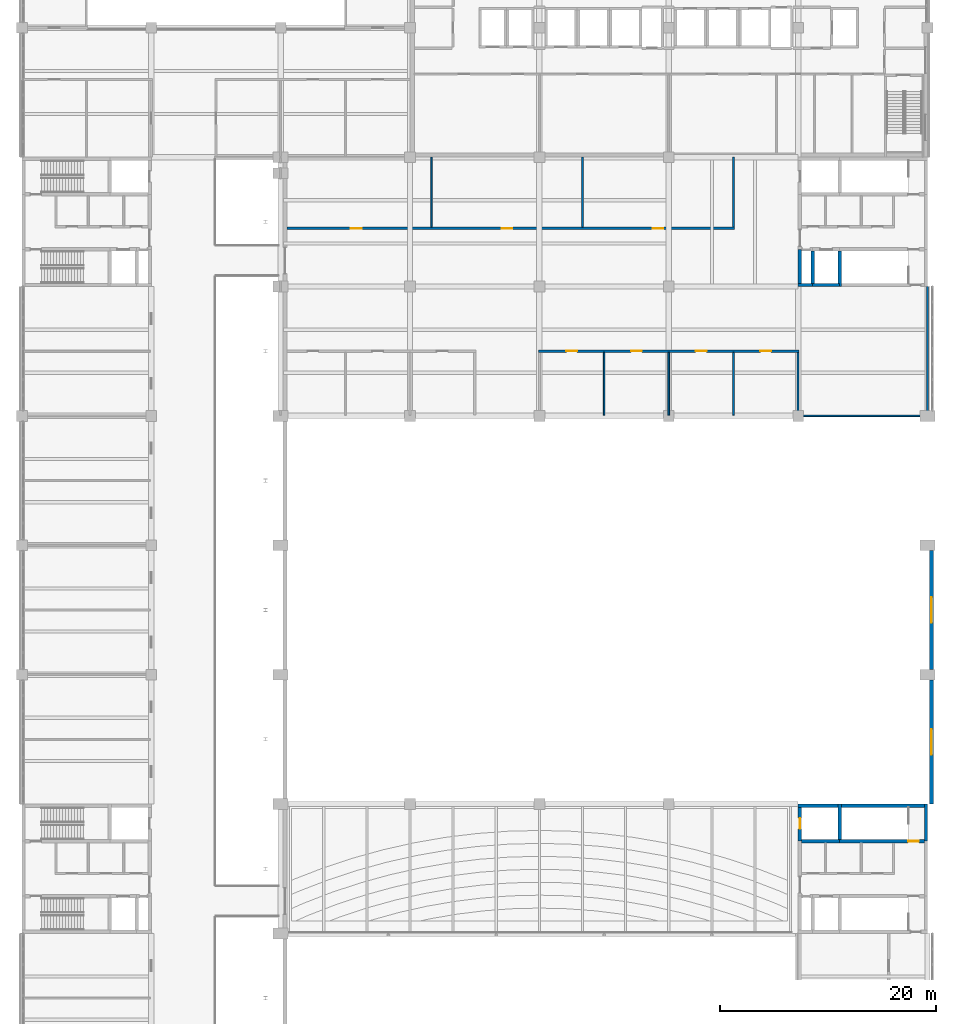
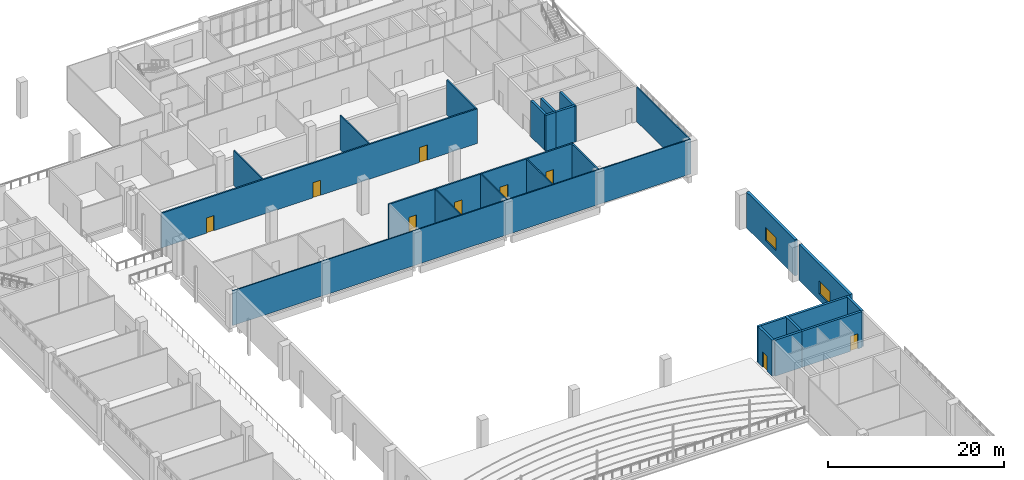
# One storey, part 60 of 69: 25 walls, 9 doors, 2 windows, 11 openings.
"""IFC4 building model written with IfcOpenShell, lengths in metres."""

from ifc_helpers import new_model, si_unit, direction, frame, frame_2d, origin, place, context, subcontext, project, spatial, rectangle, extrude, material, layer, layer_set, type_object, element, fill, save


model = new_model("IFC4")

# Units and contexts
model_context = context("Model", 3, precision=1e-05, world=origin(), true_north=direction((0.0, 1.0)))
body_context = subcontext(model_context, "Body", "Model", "MODEL_VIEW")
ifc_project = project(units=[si_unit("LENGTHUNIT", "METRE"), si_unit("AREAUNIT", "SQUARE_METRE"), si_unit("VOLUMEUNIT", "CUBIC_METRE"), si_unit("PLANEANGLEUNIT", "RADIAN"), si_unit("MASSUNIT", "GRAM", prefix="KILO")], contexts=[model_context])

# Site, building, storey
site_placement = place(None, origin())
site = spatial("IfcSite", under=ifc_project, at=site_placement, CompositionType="ELEMENT")
building_placement = place(site_placement, origin())
building = spatial("IfcBuilding", under=site, at=building_placement, Name="Lilac Gate Convention Centre", CompositionType="ELEMENT")
storey_placement = place(building_placement, frame((0.0, 0.0, 12.0)))
storey = spatial("IfcBuildingStorey", under=building, at=storey_placement, Name="L02", CompositionType="ELEMENT", Elevation=12.0)

# Walls
ifc_material_1 = material(Name="Fire-rated gypsum board on steel stud", Category="steel")
ifc_layer_1 = layer(ifc_material_1, 0.14990234375)
ifc_layer_set_1 = layer_set([ifc_layer_1], Name="Fire-rated gypsum board on steel stud")
wall_type_1 = type_object("IfcWallType", Name="Partition 150 fire-rated gypsum board EI 60", PredefinedType="PARTITIONING", material=ifc_layer_set_1)
wall_1_placement = place(storey_placement, frame((29.925048828125, 198.0, 0.0), z_axis=(0.0, 0.0, 1.0), x_axis=(1.0, 0.0, 0.0)))
element("IfcWall", 1, at=wall_1_placement, inside=storey, type_object=wall_type_1, Name="Partition 150 fire-rated gypsum board EI 60", PredefinedType="PARTITIONING", context=body_context, shape_type="SweptSolid", body=[
    extrude(rectangle(XDim=60.14990234375, YDim=0.14990234375, at=frame_2d((30.074951171875, 0.0))), origin(), (0.0, 0.0, 1.0), 4.824951171875),
])
for number, where, z_axis, x_axis, name in (
    (2, (44.0, 215.5, 0.0), (0.0, 0.0, 1.0), (0.0, 1.0, 0.0), "Partition 150 fire-rated gypsum board EI 60"),
    (3, (58.0, 215.5, 0.0), (0.0, 0.0, 1.0), (0.0, 1.0, 0.0), "Partition 150 fire-rated gypsum board EI 60"),
):
    element("IfcWall", number, at=place(storey_placement, frame(where, z_axis=z_axis, x_axis=x_axis)), inside=storey, type_object=wall_type_1, Name=name, PredefinedType="PARTITIONING", context=body_context, shape_type="SweptSolid", body=[
        extrude(rectangle(XDim=6.5, YDim=0.14990234375, at=frame_2d((3.25, 0.0))), origin(), (0.0, 0.0, 1.0), 4.824951171875),
    ])
for number, where, z_axis, x_axis, name in (
    (4, (60.0, 198.074951171875, 0.0), (0.0, 0.0, 1.0), (0.0, 1.0, 0.0), "Partition 150 fire-rated gypsum board EI 60"),
    (5, (66.0, 198.074951171875, 0.0), (0.0, 0.0, 1.0), (0.0, 1.0, 0.0), "Partition 150 fire-rated gypsum board EI 60"),
    (6, (72.0, 198.074951171875, 0.0), (0.0, 0.0, 1.0), (0.0, 1.0, 0.0), "Partition 150 fire-rated gypsum board EI 60"),
):
    element("IfcWall", number, at=place(storey_placement, frame(where, z_axis=z_axis, x_axis=x_axis)), inside=storey, type_object=wall_type_1, Name=name, PredefinedType="PARTITIONING", context=body_context, shape_type="SweptSolid", body=[
        extrude(rectangle(XDim=5.824951171875, YDim=0.14990234375, at=frame_2d((2.91259765625, 0.0))), origin(), (0.0, 0.0, 1.0), 4.824951171875),
    ])
wall_2_placement = place(storey_placement, frame((90.0, 198.074951171875, 0.0), z_axis=(0.0, 0.0, 1.0), x_axis=(0.0, 1.0, 0.0)))
element("IfcWall", 7, at=wall_2_placement, inside=storey, type_object=wall_type_1, Name="Partition 150 fire-rated gypsum board EI 60", PredefinedType="PARTITIONING", context=body_context, shape_type="SweptSolid", body=[
    extrude(rectangle(XDim=11.925048828125, YDim=0.14990234375, at=frame_2d((5.96240234375, 0.0))), origin(), (0.0, 0.0, 1.0), 4.824951171875),
])

# Wall, openings, doors
ifc_material_2 = material(Name="Clay brick masonry", Category="masonry")
ifc_layer_2 = layer(ifc_material_2, 0.199951171875)
ifc_layer_set_2 = layer_set([ifc_layer_2], Name="Clay brick masonry")
wall_type_2 = type_object("IfcWallType", Name="Partition 200 brick EI 60", PredefinedType="PARTITIONING", material=ifc_layer_set_2)
wall_3_placement = place(storey_placement, frame((53.89990234375, 204.0, 0.0), z_axis=(0.0, 0.0, 1.0), x_axis=(1.0, 0.0, 0.0)))
wall_3 = element("IfcWall", 8, at=wall_3_placement, inside=storey, type_object=wall_type_2, Name="Partition 200 brick EI 60", PredefinedType="PARTITIONING", context=body_context, shape_type="SweptSolid", body=[
    extrude(rectangle(XDim=24.2001953125, YDim=0.199951171875, at=frame_2d((12.10009765625, 0.0))), origin(), (0.0, 0.0, 1.0), 4.824951171875),
])
opening_1_placement = place(wall_3_placement, frame((2.60009765625, 0.0, 0.0)))
opening_1 = element("IfcOpeningElement", 9, at=opening_1_placement, cuts=wall_3, Name="Opening L02-080", PredefinedType="OPENING", context=body_context, shape_type="SweptSolid", body=[
    extrude(rectangle(XDim=1.0, YDim=2.10009765625, at=frame_2d((0.5, 1.050048828125))), frame((0.0, 0.10986328125, 0.0), z_axis=(0.0, -1.0, 0.0), x_axis=(1.0, 0.0, 0.0)), (0.0, 0.0, 1.0), 0.219970703125),
])
opening_2_placement = place(wall_3_placement, frame((8.60009765625, 0.0, 0.0)))
opening_2 = element("IfcOpeningElement", 10, at=opening_2_placement, cuts=wall_3, Name="Opening L02-081", PredefinedType="OPENING", context=body_context, shape_type="SweptSolid", body=[
    extrude(rectangle(XDim=1.0, YDim=2.10009765625, at=frame_2d((0.5, 1.050048828125))), frame((0.0, 0.10986328125, 0.0), z_axis=(0.0, -1.0, 0.0), x_axis=(1.0, 0.0, 0.0)), (0.0, 0.0, 1.0), 0.219970703125),
])
opening_3_placement = place(wall_3_placement, frame((14.60009765625, 0.0, 0.0)))
opening_3 = element("IfcOpeningElement", 11, at=opening_3_placement, cuts=wall_3, Name="Opening L02-082", PredefinedType="OPENING", context=body_context, shape_type="SweptSolid", body=[
    extrude(rectangle(XDim=1.0, YDim=2.10009765625, at=frame_2d((0.5, 1.050048828125))), frame((0.0, 0.10986328125, 0.0), z_axis=(0.0, -1.0, 0.0), x_axis=(1.0, 0.0, 0.0)), (0.0, 0.0, 1.0), 0.219970703125),
])
opening_4_placement = place(wall_3_placement, frame((20.60009765625, 0.0, 0.0)))
opening_4 = element("IfcOpeningElement", 12, at=opening_4_placement, cuts=wall_3, Name="Opening L02-083", PredefinedType="OPENING", context=body_context, shape_type="SweptSolid", body=[
    extrude(rectangle(XDim=1.0, YDim=2.10009765625, at=frame_2d((0.5, 1.050048828125))), frame((0.0, 0.10986328125, 0.0), z_axis=(0.0, -1.0, 0.0), x_axis=(1.0, 0.0, 0.0)), (0.0, 0.0, 1.0), 0.219970703125),
])
ifc_material_3 = material(Name="Timber fire door leaf", Category="wood")
door_type_1 = type_object("IfcDoorType", Name="Door 1000 x 2100 single leaf FD30", OperationType="SINGLE_SWING_LEFT", PredefinedType="DOOR", material=ifc_material_3)
door_1_placement = place(opening_1_placement, frame((1.0, 0.0, 0.0), z_axis=(0.0, 0.0, 1.0), x_axis=(-1.0, 0.0, 0.0)))
door_1 = element("IfcDoor", 13, at=door_1_placement, inside=storey, type_object=door_type_1, Name="Meeting room door L02-080", OperationType="SINGLE_SWING_LEFT", OverallHeight=2.10009765625, OverallWidth=1.0, PredefinedType="DOOR", context=body_context, shape_type="SweptSolid", body=[
    extrude(rectangle(XDim=1.0, YDim=2.10009765625, at=frame_2d((0.5, 1.050048828125))), frame((0.0, 0.02490234375, 0.0), z_axis=(0.0, -1.0, 0.0), x_axis=(1.0, 0.0, 0.0)), (0.0, 0.0, 1.0), 0.050048828125),
])
fill(opening_1, door_1)
door_2_placement = place(opening_2_placement, frame((1.0, 0.0, 0.0), z_axis=(0.0, 0.0, 1.0), x_axis=(-1.0, 0.0, 0.0)))
door_2 = element("IfcDoor", 14, at=door_2_placement, inside=storey, type_object=door_type_1, Name="Meeting room door L02-081", OperationType="SINGLE_SWING_LEFT", OverallHeight=2.10009765625, OverallWidth=1.0, PredefinedType="DOOR", context=body_context, shape_type="SweptSolid", body=[
    extrude(rectangle(XDim=1.0, YDim=2.10009765625, at=frame_2d((0.5, 1.050048828125))), frame((0.0, 0.02490234375, 0.0), z_axis=(0.0, -1.0, 0.0), x_axis=(1.0, 0.0, 0.0)), (0.0, 0.0, 1.0), 0.050048828125),
])
fill(opening_2, door_2)
door_3_placement = place(opening_3_placement, frame((1.0, 0.0, 0.0), z_axis=(0.0, 0.0, 1.0), x_axis=(-1.0, 0.0, 0.0)))
door_3 = element("IfcDoor", 15, at=door_3_placement, inside=storey, type_object=door_type_1, Name="Meeting room door L02-082", OperationType="SINGLE_SWING_LEFT", OverallHeight=2.10009765625, OverallWidth=1.0, PredefinedType="DOOR", context=body_context, shape_type="SweptSolid", body=[
    extrude(rectangle(XDim=1.0, YDim=2.10009765625, at=frame_2d((0.5, 1.050048828125))), frame((0.0, 0.02490234375, 0.0), z_axis=(0.0, -1.0, 0.0), x_axis=(1.0, 0.0, 0.0)), (0.0, 0.0, 1.0), 0.050048828125),
])
fill(opening_3, door_3)
door_4_placement = place(opening_4_placement, frame((1.0, 0.0, 0.0), z_axis=(0.0, 0.0, 1.0), x_axis=(-1.0, 0.0, 0.0)))
door_4 = element("IfcDoor", 16, at=door_4_placement, inside=storey, type_object=door_type_1, Name="Meeting room door L02-083", OperationType="SINGLE_SWING_LEFT", OverallHeight=2.10009765625, OverallWidth=1.0, PredefinedType="DOOR", context=body_context, shape_type="SweptSolid", body=[
    extrude(rectangle(XDim=1.0, YDim=2.10009765625, at=frame_2d((0.5, 1.050048828125))), frame((0.0, 0.02490234375, 0.0), z_axis=(0.0, -1.0, 0.0), x_axis=(1.0, 0.0, 0.0)), (0.0, 0.0, 1.0), 0.050048828125),
])
fill(opening_4, door_4)

wall_4_placement = place(storey_placement, frame((30.599853515625, 215.39990234375, 0.0), z_axis=(0.0, 0.0, 1.0), x_axis=(1.0, 0.0, 0.0)))
wall_4 = element("IfcWall", 17, at=wall_4_placement, inside=storey, type_object=wall_type_2, Name="Partition 200 brick EI 60", PredefinedType="PARTITIONING", context=body_context, shape_type="SweptSolid", body=[
    extrude(rectangle(XDim=41.500244140625, YDim=0.199951171875, at=frame_2d((20.75, 0.0))), origin(), (0.0, 0.0, 1.0), 4.824951171875),
])
opening_5_placement = place(wall_4_placement, frame((5.900146484375, 0.0, 0.0)))
opening_5 = element("IfcOpeningElement", 18, at=opening_5_placement, cuts=wall_4, Name="Opening L02-093", PredefinedType="OPENING", context=body_context, shape_type="SweptSolid", body=[
    extrude(rectangle(XDim=1.0, YDim=2.10009765625, at=frame_2d((0.5, 1.050048828125))), frame((0.0, 0.10986328125, 0.0), z_axis=(0.0, -1.0, 0.0), x_axis=(1.0, 0.0, 0.0)), (0.0, 0.0, 1.0), 0.219970703125),
])
opening_6_placement = place(wall_4_placement, frame((19.900146484375, 0.0, 0.0)))
opening_6 = element("IfcOpeningElement", 19, at=opening_6_placement, cuts=wall_4, Name="Opening L02-094", PredefinedType="OPENING", context=body_context, shape_type="SweptSolid", body=[
    extrude(rectangle(XDim=1.0, YDim=2.10009765625, at=frame_2d((0.5, 1.050048828125))), frame((0.0, 0.10986328125, 0.0), z_axis=(0.0, -1.0, 0.0), x_axis=(1.0, 0.0, 0.0)), (0.0, 0.0, 1.0), 0.219970703125),
])
opening_7_placement = place(wall_4_placement, frame((33.900146484375, 0.0, 0.0)))
opening_7 = element("IfcOpeningElement", 20, at=opening_7_placement, cuts=wall_4, Name="Opening L02-095", PredefinedType="OPENING", context=body_context, shape_type="SweptSolid", body=[
    extrude(rectangle(XDim=1.0, YDim=2.10009765625, at=frame_2d((0.5, 1.050048828125))), frame((0.0, 0.10986328125, 0.0), z_axis=(0.0, -1.0, 0.0), x_axis=(1.0, 0.0, 0.0)), (0.0, 0.0, 1.0), 0.219970703125),
])
door_5_placement = place(opening_5_placement, frame((1.0, 0.0, 0.0), z_axis=(0.0, 0.0, 1.0), x_axis=(-1.0, 0.0, 0.0)))
door_5 = element("IfcDoor", 21, at=door_5_placement, inside=storey, type_object=door_type_1, Name="Meeting room door L02-093", OperationType="SINGLE_SWING_LEFT", OverallHeight=2.10009765625, OverallWidth=1.0, PredefinedType="DOOR", context=body_context, shape_type="SweptSolid", body=[
    extrude(rectangle(XDim=1.0, YDim=2.10009765625, at=frame_2d((0.5, 1.050048828125))), frame((0.0, 0.02490234375, 0.0), z_axis=(0.0, -1.0, 0.0), x_axis=(1.0, 0.0, 0.0)), (0.0, 0.0, 1.0), 0.050048828125),
])
fill(opening_5, door_5)
door_6_placement = place(opening_6_placement, frame((1.0, 0.0, 0.0), z_axis=(0.0, 0.0, 1.0), x_axis=(-1.0, 0.0, 0.0)))
door_6 = element("IfcDoor", 22, at=door_6_placement, inside=storey, type_object=door_type_1, Name="Meeting room door L02-094", OperationType="SINGLE_SWING_LEFT", OverallHeight=2.10009765625, OverallWidth=1.0, PredefinedType="DOOR", context=body_context, shape_type="SweptSolid", body=[
    extrude(rectangle(XDim=1.0, YDim=2.10009765625, at=frame_2d((0.5, 1.050048828125))), frame((0.0, 0.02490234375, 0.0), z_axis=(0.0, -1.0, 0.0), x_axis=(1.0, 0.0, 0.0)), (0.0, 0.0, 1.0), 0.050048828125),
])
fill(opening_6, door_6)
door_7_placement = place(opening_7_placement, frame((1.0, 0.0, 0.0), z_axis=(0.0, 0.0, 1.0), x_axis=(-1.0, 0.0, 0.0)))
door_7 = element("IfcDoor", 23, at=door_7_placement, inside=storey, type_object=door_type_1, Name="Meeting room door L02-095", OperationType="SINGLE_SWING_RIGHT", OverallHeight=2.10009765625, OverallWidth=1.0, PredefinedType="DOOR", context=body_context, shape_type="SweptSolid", body=[
    extrude(rectangle(XDim=1.0, YDim=2.10009765625, at=frame_2d((0.5, 1.050048828125))), frame((0.0, 0.02490234375, 0.0), z_axis=(0.0, -1.0, 0.0), x_axis=(1.0, 0.0, 0.0)), (0.0, 0.0, 1.0), 0.050048828125),
])
fill(opening_7, door_7)

# Walls
wall_5_placement = place(storey_placement, frame((72.0, 215.5, 0.0), z_axis=(0.0, 0.0, 1.0), x_axis=(0.0, 1.0, 0.0)))
element("IfcWall", 24, at=wall_5_placement, inside=storey, type_object=wall_type_2, Name="Partition 200 brick EI 60", PredefinedType="PARTITIONING", context=body_context, shape_type="SweptSolid", body=[
    extrude(rectangle(XDim=6.5, YDim=0.199951171875, at=frame_2d((3.25, 0.0))), origin(), (0.0, 0.0, 1.0), 4.824951171875),
])
wall_6_placement = place(storey_placement, frame((78.0, 198.074951171875, 0.0), z_axis=(0.0, 0.0, 1.0), x_axis=(0.0, 1.0, 0.0)))
element("IfcWall", 25, at=wall_6_placement, inside=storey, type_object=wall_type_2, Name="Partition 200 brick EI 60", PredefinedType="PARTITIONING", context=body_context, shape_type="SweptSolid", body=[
    extrude(rectangle(XDim=5.824951171875, YDim=0.199951171875, at=frame_2d((2.91259765625, 0.0))), origin(), (0.0, 0.0, 1.0), 4.824951171875),
])

# Wall, opening, window
ifc_material_4 = material(Name="Ochre mineral render")
ifc_layer_3 = layer(ifc_material_4, 0.02001953125)
ifc_material_5 = material(Name="Concrete C40 precast", Category="concrete")
ifc_layer_4 = layer(ifc_material_5, 0.06005859375)
ifc_material_6 = material(Name="Ventilated air cavity")
ifc_layer_5 = layer(ifc_material_6, 0.030029296875)
ifc_material_7 = material(Name="Mineral wool insulation")
ifc_layer_6 = layer(ifc_material_7, 0.169921875)
ifc_material_8 = material(Name="Steel stud Q345 and gypsum lining", Category="steel")
ifc_layer_7 = layer(ifc_material_8, 0.070068359375)
ifc_layer_set_3 = layer_set([ifc_layer_3, ifc_layer_4, ifc_layer_5, ifc_layer_6, ifc_layer_7], Name="Ochre mineral render, Concrete C40 precast, Ventilated air cavity, Mineral wool insulation, Steel stud Q345 and gypsum lining")
wall_type_3 = type_object("IfcWallType", Name="Podium precast wall 350", PredefinedType="STANDARD", material=ifc_layer_set_3)
wall_7_placement = place(storey_placement, frame((90.375, 162.0, 0.0), z_axis=(0.0, 0.0, 1.0), x_axis=(0.0, 1.0, 0.0)))
wall_7 = element("IfcWall", 26, at=wall_7_placement, inside=storey, type_object=wall_type_3, Name="External wall hall east HE L02 10", PredefinedType="STANDARD", context=body_context, shape_type="SweptSolid", body=[
    extrude(rectangle(XDim=11.5, YDim=0.35009765625, at=frame_2d((5.75, 0.0))), origin(), (0.0, 0.0, 1.0), 5.0),
])
opening_8_placement = place(wall_7_placement, frame((4.550048828125, 0.0, 0.89990234375)))
opening_8 = element("IfcOpeningElement", 27, at=opening_8_placement, cuts=wall_7, Name="Opening W5", PredefinedType="OPENING", context=body_context, shape_type="SweptSolid", body=[
    extrude(rectangle(XDim=2.39990234375, YDim=1.800048828125, at=frame_2d((1.199951171875, 0.89990234375))), frame((0.0, 0.18505859375, 0.0), z_axis=(0.0, -1.0, 0.0), x_axis=(1.0, 0.0, 0.0)), (0.0, 0.0, 1.0), 0.3701171875),
])
ifc_material_9 = material(Name="Aluminium framed double glazing", Category="aluminium")
window_type = type_object("IfcWindowType", Name="Meeting room window 2400 x 1800", PartitioningType="TRIPLE_PANEL_VERTICAL", PredefinedType="WINDOW", material=ifc_material_9)
window_1_placement = place(opening_8_placement, origin())
window_1 = element("IfcWindow", 28, at=window_1_placement, inside=storey, type_object=window_type, Name="Window L02 east 167", OverallHeight=1.800048828125, OverallWidth=2.39990234375, PartitioningType="SINGLE_PANEL", PredefinedType="WINDOW", context=body_context, shape_type="SweptSolid", body=[
    extrude(rectangle(XDim=2.39990234375, YDim=1.800048828125, at=frame_2d((1.199951171875, 0.89990234375))), frame((0.0, 0.030029296875, 0.0), z_axis=(0.0, -1.0, 0.0), x_axis=(1.0, 0.0, 0.0)), (0.0, 0.0, 1.0), 0.06005859375),
])
fill(opening_8, window_1)

wall_8_placement = place(storey_placement, frame((90.375, 174.5, 0.0), z_axis=(0.0, 0.0, 1.0), x_axis=(0.0, 1.0, 0.0)))
wall_8 = element("IfcWall", 29, at=wall_8_placement, inside=storey, type_object=wall_type_3, Name="External wall hall east HE L02 11", PredefinedType="STANDARD", context=body_context, shape_type="SweptSolid", body=[
    extrude(rectangle(XDim=11.0, YDim=0.35009765625, at=frame_2d((5.5, 0.0))), origin(), (0.0, 0.0, 1.0), 5.0),
])
opening_9_placement = place(wall_8_placement, frame((4.300048828125, 0.0, 0.89990234375)))
opening_9 = element("IfcOpeningElement", 30, at=opening_9_placement, cuts=wall_8, Name="Opening W5", PredefinedType="OPENING", context=body_context, shape_type="SweptSolid", body=[
    extrude(rectangle(XDim=2.39990234375, YDim=1.800048828125, at=frame_2d((1.199951171875, 0.89990234375))), frame((0.0, 0.18505859375, 0.0), z_axis=(0.0, -1.0, 0.0), x_axis=(1.0, 0.0, 0.0)), (0.0, 0.0, 1.0), 0.3701171875),
])
window_2_placement = place(opening_9_placement, origin())
window_2 = element("IfcWindow", 31, at=window_2_placement, inside=storey, type_object=window_type, Name="Window L02 east 180", OverallHeight=1.800048828125, OverallWidth=2.39990234375, PartitioningType="SINGLE_PANEL", PredefinedType="WINDOW", context=body_context, shape_type="SweptSolid", body=[
    extrude(rectangle(XDim=2.39990234375, YDim=1.800048828125, at=frame_2d((1.199951171875, 0.89990234375))), frame((0.0, 0.030029296875, 0.0), z_axis=(0.0, -1.0, 0.0), x_axis=(1.0, 0.0, 0.0)), (0.0, 0.0, 1.0), 0.06005859375),
])
fill(opening_9, window_2)

# Walls
ifc_material_10 = material(Name="Concrete C40", Category="concrete")
ifc_layer_8 = layer(ifc_material_10, 0.300048828125)
ifc_layer_set_4 = layer_set([ifc_layer_8], Name="Concrete C40")
wall_type_4 = type_object("IfcWallType", Name="Shear wall 300 C40", PredefinedType="SHEAR", material=ifc_layer_set_4)
wall_9_placement = place(storey_placement, frame((90.0, 161.85009765625, 0.0), z_axis=(0.0, 0.0, 1.0), x_axis=(-1.0, 0.0, 0.0)))
element("IfcWall", 32, at=wall_9_placement, inside=storey, type_object=wall_type_4, Name="SW1 shear wall E2 L02 4", PredefinedType="SHEAR", context=body_context, shape_type="SweptSolid", body=[
    extrude(rectangle(XDim=8.14990234375, YDim=0.300048828125, at=frame_2d((4.074951171875, 0.0))), origin(), (0.0, 0.0, 1.0), 5.0),
])
wall_10_placement = place(storey_placement, frame((81.85009765625, 161.85009765625, 0.0), z_axis=(0.0, 0.0, 1.0), x_axis=(-1.0, 0.0, 0.0)))
element("IfcWall", 33, at=wall_10_placement, inside=storey, type_object=wall_type_4, Name="SW1 shear wall E2 L02 5", PredefinedType="SHEAR", context=body_context, shape_type="SweptSolid", body=[
    extrude(rectangle(XDim=3.85009765625, YDim=0.300048828125, at=frame_2d((1.925048828125, 0.0))), origin(), (0.0, 0.0, 1.0), 5.0),
])

# Wall, opening, door
wall_11_placement = place(storey_placement, frame((89.699951171875, 158.550048828125, 0.0), z_axis=(0.0, 0.0, 1.0), x_axis=(-1.0, 0.0, 0.0)))
wall_11 = element("IfcWall", 34, at=wall_11_placement, inside=storey, type_object=wall_type_4, Name="SW1 shear wall E2 L02 9", PredefinedType="SHEAR", context=body_context, shape_type="SweptSolid", body=[
    extrude(rectangle(XDim=7.849853515625, YDim=0.300048828125, at=frame_2d((3.9248046875, 0.0))), origin(), (0.0, 0.0, 1.0), 5.0),
])
opening_10_placement = place(wall_11_placement, frame((0.5, 0.0, 0.0)))
opening_10 = element("IfcOpeningElement", 35, at=opening_10_placement, cuts=wall_11, Name="Opening L02-067", PredefinedType="OPENING", context=body_context, shape_type="SweptSolid", body=[
    extrude(rectangle(XDim=1.0, YDim=2.10009765625, at=frame_2d((0.5, 1.050048828125))), frame((0.0, 0.159912109375, 0.0), z_axis=(0.0, -1.0, 0.0), x_axis=(1.0, 0.0, 0.0)), (0.0, 0.0, 1.0), 0.320068359375),
])
door_type_2 = type_object("IfcDoorType", Name="Door 1000 x 2100 single leaf FD60", OperationType="SINGLE_SWING_LEFT", PredefinedType="DOOR", material=ifc_material_3)
door_8_placement = place(opening_10_placement, frame((1.0, 0.0, 0.0), z_axis=(0.0, 0.0, 1.0), x_axis=(-1.0, 0.0, 0.0)))
door_8 = element("IfcDoor", 36, at=door_8_placement, inside=storey, type_object=door_type_2, Name="Stair door L02-067", OperationType="SINGLE_SWING_LEFT", OverallHeight=2.10009765625, OverallWidth=1.0, PredefinedType="DOOR", context=body_context, shape_type="SweptSolid", body=[
    extrude(rectangle(XDim=1.0, YDim=2.10009765625, at=frame_2d((0.5, 1.050048828125))), frame((0.0, 0.02490234375, 0.0), z_axis=(0.0, -1.0, 0.0), x_axis=(1.0, 0.0, 0.0)), (0.0, 0.0, 1.0), 0.050048828125),
])
fill(opening_10, door_8)

# Walls
wall_12_placement = place(storey_placement, frame((81.85009765625, 158.550048828125, 0.0), z_axis=(0.0, 0.0, 1.0), x_axis=(-1.0, 0.0, 0.0)))
element("IfcWall", 37, at=wall_12_placement, inside=storey, type_object=wall_type_4, Name="SW1 shear wall E2 L02 10", PredefinedType="SHEAR", context=body_context, shape_type="SweptSolid", body=[
    extrude(rectangle(XDim=3.550048828125, YDim=0.300048828125, at=frame_2d((1.77490234375, 0.0))), origin(), (0.0, 0.0, 1.0), 5.0),
])
wall_13_placement = place(storey_placement, frame((89.85009765625, 158.550048828125, 0.0), z_axis=(0.0, 0.0, 1.0), x_axis=(0.0, 1.0, 0.0)))
element("IfcWall", 38, at=wall_13_placement, inside=storey, type_object=wall_type_4, Name="SW1 shear wall E2 L02 13", PredefinedType="SHEAR", context=body_context, shape_type="SweptSolid", body=[
    extrude(rectangle(XDim=3.449951171875, YDim=0.300048828125, at=frame_2d((1.72509765625, 0.0))), origin(), (0.0, 0.0, 1.0), 5.0),
])

# Wall, opening, door
wall_14_placement = place(storey_placement, frame((78.14990234375, 158.550048828125, 0.0), z_axis=(0.0, 0.0, 1.0), x_axis=(0.0, 1.0, 0.0)))
wall_14 = element("IfcWall", 39, at=wall_14_placement, inside=storey, type_object=wall_type_4, Name="SW1 shear wall E2 L02 16", PredefinedType="SHEAR", context=body_context, shape_type="SweptSolid", body=[
    extrude(rectangle(XDim=3.14990234375, YDim=0.300048828125, at=frame_2d((1.574951171875, 0.0))), origin(), (0.0, 0.0, 1.0), 5.0),
])
opening_11_placement = place(wall_14_placement, frame((1.14990234375, 0.0, 0.0)))
opening_11 = element("IfcOpeningElement", 40, at=opening_11_placement, cuts=wall_14, Name="Opening L02-069", PredefinedType="OPENING", context=body_context, shape_type="SweptSolid", body=[
    extrude(rectangle(XDim=1.0, YDim=2.10009765625, at=frame_2d((0.5, 1.050048828125))), frame((0.0, 0.159912109375, 0.0), z_axis=(0.0, -1.0, 0.0), x_axis=(1.0, 0.0, 0.0)), (0.0, 0.0, 1.0), 0.320068359375),
])
door_9_placement = place(opening_11_placement, frame((1.0, 0.0, 0.0), z_axis=(0.0, 0.0, 1.0), x_axis=(-1.0, 0.0, 0.0)))
door_9 = element("IfcDoor", 41, at=door_9_placement, inside=storey, type_object=door_type_1, Name="Riser access door L02-069", OperationType="SINGLE_SWING_LEFT", OverallHeight=2.10009765625, OverallWidth=1.0, PredefinedType="DOOR", context=body_context, shape_type="SweptSolid", body=[
    extrude(rectangle(XDim=1.0, YDim=2.10009765625, at=frame_2d((0.5, 1.050048828125))), frame((0.0, 0.02490234375, 0.0), z_axis=(0.0, -1.0, 0.0), x_axis=(1.0, 0.0, 0.0)), (0.0, 0.0, 1.0), 0.050048828125),
])
fill(opening_11, door_9)

# Walls
wall_15_placement = place(storey_placement, frame((81.85009765625, 158.699951171875, 0.0), z_axis=(0.0, 0.0, 1.0), x_axis=(0.0, 1.0, 0.0)))
element("IfcWall", 42, at=wall_15_placement, inside=storey, type_object=wall_type_4, Name="SW1 shear wall E2 L02 18", PredefinedType="SHEAR", context=body_context, shape_type="SweptSolid", body=[
    extrude(rectangle(XDim=3.300048828125, YDim=0.300048828125, at=frame_2d((1.64990234375, 0.0))), origin(), (0.0, 0.0, 1.0), 5.0),
])
wall_16_placement = place(storey_placement, frame((81.85009765625, 210.14990234375, 0.0), z_axis=(0.0, 0.0, 1.0), x_axis=(-1.0, 0.0, 0.0)))
element("IfcWall", 43, at=wall_16_placement, inside=storey, type_object=wall_type_4, Name="SW1 shear wall E4 L02 2", PredefinedType="SHEAR", context=body_context, shape_type="SweptSolid", body=[
    extrude(rectangle(XDim=2.5, YDim=0.300048828125, at=frame_2d((1.25, 0.0))), origin(), (0.0, 0.0, 1.0), 5.0),
])
wall_17_placement = place(storey_placement, frame((79.35009765625, 210.14990234375, 0.0), z_axis=(0.0, 0.0, 1.0), x_axis=(-1.0, 0.0, 0.0)))
element("IfcWall", 44, at=wall_17_placement, inside=storey, type_object=wall_type_4, Name="SW1 shear wall E4 L02 3", PredefinedType="SHEAR", context=body_context, shape_type="SweptSolid", body=[
    extrude(rectangle(XDim=1.35009765625, YDim=0.300048828125, at=frame_2d((0.675048828125, 0.0))), origin(), (0.0, 0.0, 1.0), 5.0),
])
wall_18_placement = place(storey_placement, frame((78.14990234375, 210.300048828125, 0.0), z_axis=(0.0, 0.0, 1.0), x_axis=(0.0, 1.0, 0.0)))
element("IfcWall", 45, at=wall_18_placement, inside=storey, type_object=wall_type_4, Name="SW1 shear wall E4 L02 14", PredefinedType="SHEAR", context=body_context, shape_type="SweptSolid", body=[
    extrude(rectangle(XDim=3.14990234375, YDim=0.300048828125, at=frame_2d((1.574951171875, 0.0))), origin(), (0.0, 0.0, 1.0), 5.0),
])
wall_19_placement = place(storey_placement, frame((81.85009765625, 210.0, 0.0), z_axis=(0.0, 0.0, 1.0), x_axis=(0.0, 1.0, 0.0)))
element("IfcWall", 46, at=wall_19_placement, inside=storey, type_object=wall_type_4, Name="SW1 shear wall E4 L02 17", PredefinedType="SHEAR", context=body_context, shape_type="SweptSolid", body=[
    extrude(rectangle(XDim=3.300048828125, YDim=0.300048828125, at=frame_2d((1.64990234375, 0.0))), origin(), (0.0, 0.0, 1.0), 5.0),
])
wall_20_placement = place(storey_placement, frame((79.35009765625, 210.300048828125, 0.0), z_axis=(0.0, 0.0, 1.0), x_axis=(0.0, 1.0, 0.0)))
element("IfcWall", 47, at=wall_20_placement, inside=storey, type_object=wall_type_4, Name="SW1 shear wall E4 L02 19", PredefinedType="SHEAR", context=body_context, shape_type="SweptSolid", body=[
    extrude(rectangle(XDim=3.0, YDim=0.300048828125, at=frame_2d((1.5, 0.0))), origin(), (0.0, 0.0, 1.0), 5.0),
])

save(model, "model.ifc")
